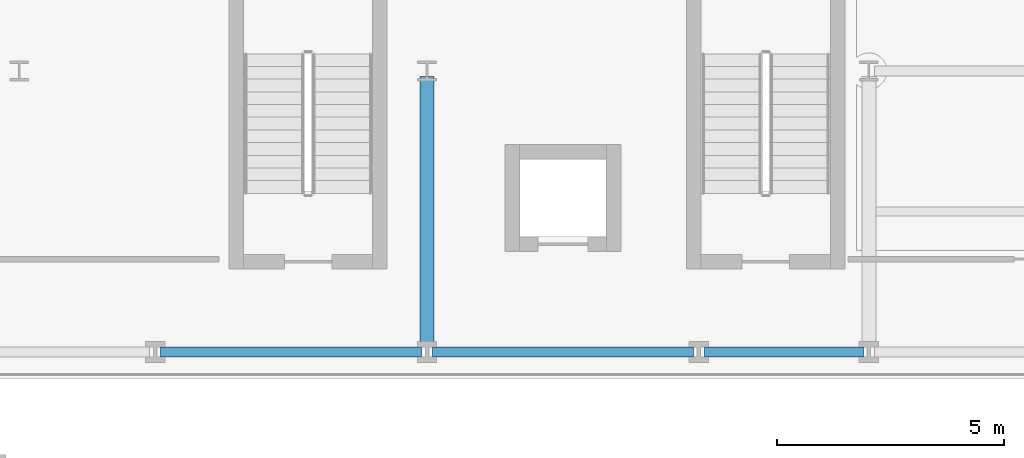
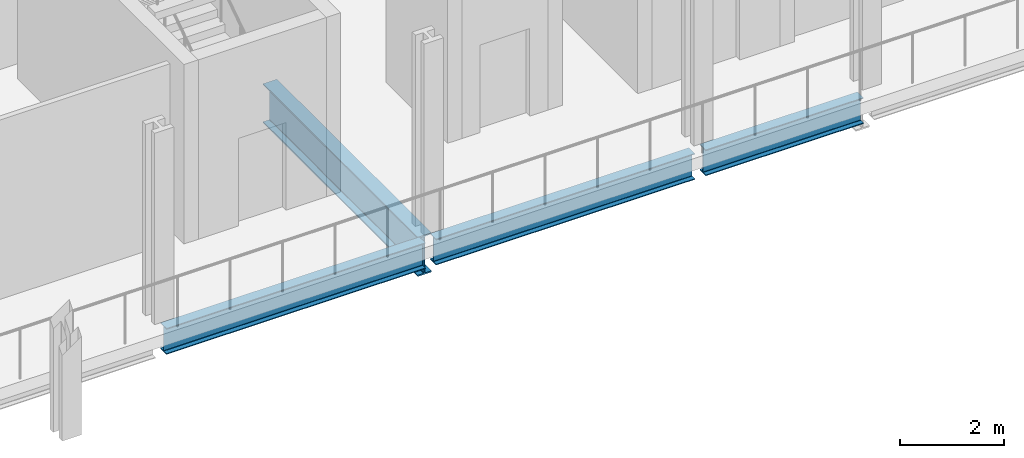
# One storey, part 5 of 25: 4 beams.
"""IFC4 building model written with IfcOpenShell, lengths in metres."""

from ifc_helpers import new_model, si_unit, direction, frame, origin, origin_2d, place, context, subcontext, project, spatial, i_section, extrude, material, material_profile, profile_set, type_object, element, save


model = new_model("IFC4")

# Units and contexts
model_context = context("Model", 3, precision=1e-05, world=origin(), true_north=direction((0.0, 1.0)))
body_context = subcontext(model_context, "Body", "Model", "MODEL_VIEW")
ifc_project = project(units=[si_unit("LENGTHUNIT", "METRE"), si_unit("AREAUNIT", "SQUARE_METRE"), si_unit("VOLUMEUNIT", "CUBIC_METRE"), si_unit("PLANEANGLEUNIT", "RADIAN"), si_unit("MASSUNIT", "GRAM", prefix="KILO")], contexts=[model_context])

# Site, building, storey
site_placement = place(None, origin())
site = spatial("IfcSite", under=ifc_project, at=site_placement, CompositionType="ELEMENT")
building_placement = place(site_placement, origin())
building = spatial("IfcBuilding", under=site, at=building_placement, Name="Brevholm Reach", CompositionType="ELEMENT")
storey_placement = place(building_placement, frame((0.0, 0.0, 9.0)))
storey = spatial("IfcBuildingStorey", under=building, at=storey_placement, Name="L02", CompositionType="ELEMENT", Elevation=9.0)

# Beams
ifc_material_1 = material(Name="Structural Steel S355J2", Category="steel")
ifc_material_profile_1 = material_profile(ifc_material_1, i_section(OverallWidth=0.22900390625, OverallDepth=0.6123046875, WebThickness=0.011962890625, FlangeThickness=0.01953125, FilletRadius=0.0126953125, at=origin_2d()), Name="UKB 610x229x125")
ifc_profile_set_1 = profile_set([ifc_material_profile_1], Name="Structural Steel S355J2")
beam_type_1 = type_object("IfcBeamType", Name="BM-SP610", PredefinedType="SPANDREL", material=ifc_profile_set_1)
for number, where, z_axis, x_axis, name in (
    (1, (6.1201171875, 31.0, -0.586181640625), (1.0, 0.0, 0.0), (0.0, 1.0, 0.0), "L02 SP-01 Framing Beam"),
    (2, (12.1201171875, 31.0, -0.586181640625), (1.0, 0.0, 0.0), (0.0, 1.0, 0.0), "L02 SP-01 Framing Beam"),
):
    element("IfcBeam", number, at=place(storey_placement, frame(where, z_axis=z_axis, x_axis=x_axis)), inside=storey, type_object=beam_type_1, Name=name, PredefinedType="SPANDREL", context=body_context, shape_type="SweptSolid", body=[
        extrude(i_section(OverallWidth=0.22900390625, OverallDepth=0.6123046875, WebThickness=0.011962890625, FlangeThickness=0.01953125, FilletRadius=0.0126953125, at=origin_2d()), origin(), (0.0, 0.0, 1.0), 5.759765625),
    ])
beam_1_placement = place(storey_placement, frame((18.1201171875, 31.0, -0.586181640625), z_axis=(1.0, 0.0, 0.0), x_axis=(0.0, 1.0, 0.0)))
element("IfcBeam", 3, at=beam_1_placement, inside=storey, type_object=beam_type_1, Name="L02 SP-01 Framing Beam", PredefinedType="SPANDREL", context=body_context, shape_type="SweptSolid", body=[
    extrude(i_section(OverallWidth=0.22900390625, OverallDepth=0.6123046875, WebThickness=0.011962890625, FlangeThickness=0.01953125, FilletRadius=0.0126953125, at=origin_2d()), origin(), (0.0, 0.0, 1.0), 3.509765625),
])
ifc_material_2 = material(Name="Structural Steel S460ML", Category="steel")
ifc_material_profile_2 = material_profile(ifc_material_2, i_section(OverallWidth=0.3076171875, OverallDepth=0.926513671875, WebThickness=0.01953125, FlangeThickness=0.031982421875, FilletRadius=0.01904296875, at=origin_2d()), Name="UKB 914x305x289")
ifc_profile_set_2 = profile_set([ifc_material_profile_2], Name="Structural Steel S460ML")
beam_type_2 = type_object("IfcBeamType", Name="BM-UKB914B", PredefinedType="USERDEFINED", material=ifc_profile_set_2)
beam_2_placement = place(storey_placement, frame((12.0, 31.1201171875, -0.743408203125), z_axis=(0.0, 1.0, 0.0), x_axis=(-1.0, 0.0, 0.0)))
element("IfcBeam", 4, at=beam_2_placement, inside=storey, type_object=beam_type_2, Name="L02 G-02B Framing Beam", ObjectType="GIRDER", PredefinedType="USERDEFINED", context=body_context, shape_type="SweptSolid", body=[
    extrude(i_section(OverallWidth=0.3076171875, OverallDepth=0.926513671875, WebThickness=0.01953125, FlangeThickness=0.031982421875, FilletRadius=0.01904296875, at=origin_2d()), origin(), (0.0, 0.0, 1.0), 5.9599609375),
])

save(model, "model.ifc")
